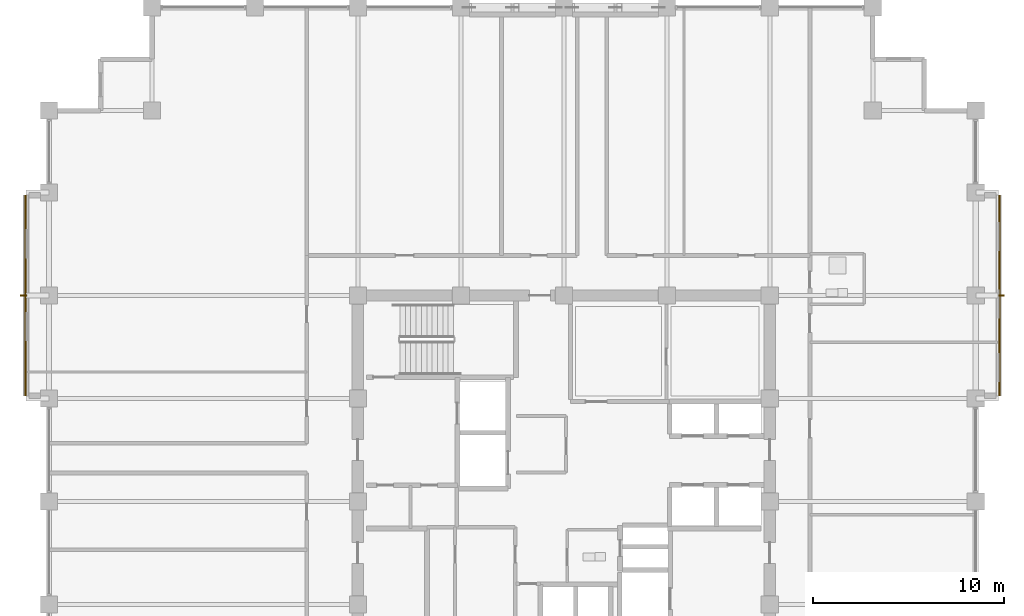
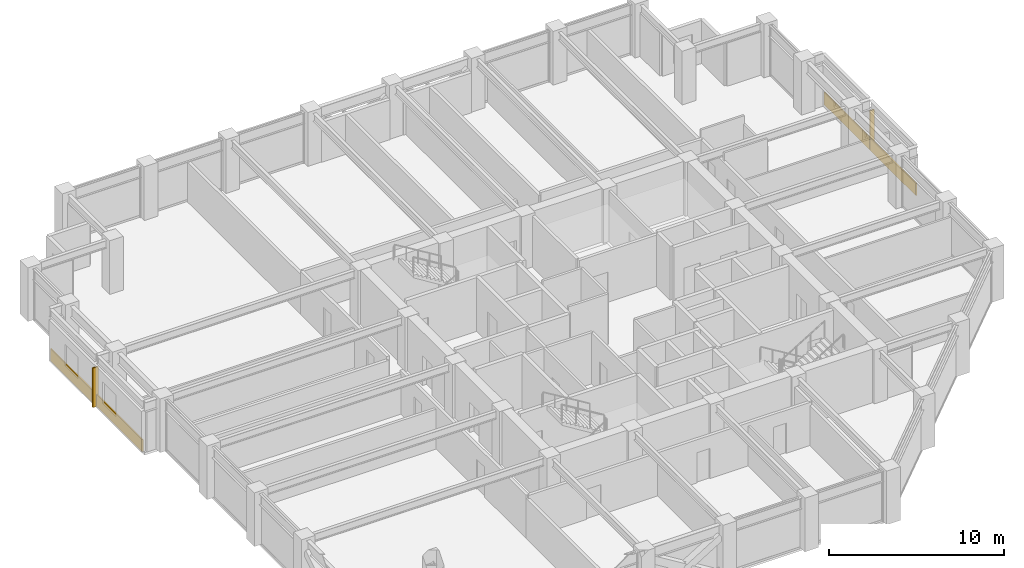
# One storey, part 31 of 32: 2 coverings, 2 shading devices.
"""IFC4 building model written with IfcOpenShell, lengths in metres."""

from ifc_helpers import new_model, si_unit, direction, frame, origin, origin_2d, place, context, subcontext, project, spatial, rectangle, extrude, material, layer, layer_set, type_object, element, save


model = new_model("IFC4")

# Units and contexts
model_context = context("Model", 3, precision=1e-05, world=origin(), true_north=direction((0.0, 1.0)))
body_context = subcontext(model_context, "Body", "Model", "MODEL_VIEW")
ifc_project = project(units=[si_unit("LENGTHUNIT", "METRE"), si_unit("AREAUNIT", "SQUARE_METRE"), si_unit("VOLUMEUNIT", "CUBIC_METRE"), si_unit("PLANEANGLEUNIT", "RADIAN"), si_unit("MASSUNIT", "GRAM", prefix="KILO")], contexts=[model_context])

# Site, building, storey
site_placement = place(None, origin())
site = spatial("IfcSite", under=ifc_project, at=site_placement, CompositionType="ELEMENT")
building_placement = place(site_placement, origin())
building = spatial("IfcBuilding", under=site, at=building_placement, Name="Surkhivell Harbour Commons", CompositionType="ELEMENT")
storey_placement = place(building_placement, frame((0.0, 0.0, 186.0)))
storey = spatial("IfcBuildingStorey", under=building, at=storey_placement, Name="L48", CompositionType="ELEMENT", Elevation=186.0)

# Coverings
ifc_material_1 = material(Name="Emerald-teal enamelled aluminium cassette panel", Category="aluminium")
ifc_layer_1 = layer(ifc_material_1, 0.068115234375)
ifc_layer_set_1 = layer_set([ifc_layer_1], Name="Emerald-teal enamelled aluminium cassette panel")
covering_type_1 = type_object("IfcCoveringType", Name="COV-CLAD-EME", PredefinedType="CLADDING", material=ifc_layer_set_1)
covering_1_placement = place(storey_placement, frame((-28.239990234375, 10.800048828125, 0.0), z_axis=(0.0, 0.0, 1.0), x_axis=(1.0, 0.0, 0.0)))
element("IfcCovering", 1, at=covering_1_placement, inside=storey, type_object=covering_type_1, Name="L48 Coloured-Panel Box Spandrel Cassette 02", PredefinedType="CLADDING", context=body_context, shape_type="SweptSolid", body=[
    extrude(rectangle(XDim=0.080078125, YDim=10.5, at=origin_2d()), origin(), (0.0, 0.0, 1.0), 0.840087890625),
])
ifc_material_2 = material(Name="Vermilion-coral enamelled aluminium cassette panel", Category="aluminium")
ifc_layer_2 = layer(ifc_material_2, 0.074951171875)
ifc_layer_set_2 = layer_set([ifc_layer_2], Name="Vermilion-coral enamelled aluminium cassette panel")
covering_type_2 = type_object("IfcCoveringType", Name="COV-CLAD-VER", PredefinedType="CLADDING", material=ifc_layer_set_2)
covering_2_placement = place(storey_placement, frame((22.840087890625, 10.800048828125, 0.0), z_axis=(0.0, 0.0, 1.0), x_axis=(1.0, 0.0, 0.0)))
element("IfcCovering", 2, at=covering_2_placement, inside=storey, type_object=covering_type_2, Name="L48 Coloured-Panel Box Spandrel Cassette 01", PredefinedType="CLADDING", context=body_context, shape_type="SweptSolid", body=[
    extrude(rectangle(XDim=0.080078125, YDim=10.5, at=origin_2d()), origin(), (0.0, 0.0, 1.0), 0.840087890625),
])

# Shading devices
ifc_material_3 = material(Name="Champagne anodised aluminium solar fin", Category="aluminium")
shading_device_type_1 = type_object("IfcShadingDeviceType", Name="SHD-FIN-SLIM", PredefinedType="USERDEFINED", material=ifc_material_3)
shading_device_1_placement = place(storey_placement, frame((22.93994140625, 10.800048828125, 0.0048828125), z_axis=(0.0, 0.0, 1.0), x_axis=(1.0, 0.0, 0.0)))
element("IfcShadingDevice", 3, at=shading_device_1_placement, inside=storey, type_object=shading_device_type_1, Name="L48 Coloured-Box Solar Fin 01", ObjectType="FIN", PredefinedType="USERDEFINED", context=body_context, shape_type="SweptSolid", body=[
    extrude(rectangle(XDim=0.280029296875, YDim=0.080078125, at=origin_2d()), origin(), (0.0, 0.0, 1.0), 2.75),
])
ifc_material_4 = material(Name="Anodised pale-metal aluminium solar fin", Category="aluminium")
shading_device_type_2 = type_object("IfcShadingDeviceType", Name="SHD-FIN-VERT", PredefinedType="USERDEFINED", material=ifc_material_4)
shading_device_2_placement = place(storey_placement, frame((-28.340087890625, 10.800048828125, 0.0048828125), z_axis=(0.0, 0.0, 1.0), x_axis=(1.0, 0.0, 0.0)))
element("IfcShadingDevice", 4, at=shading_device_2_placement, inside=storey, type_object=shading_device_type_2, Name="L48 Coloured-Box Solar Fin 02", ObjectType="FIN", PredefinedType="USERDEFINED", context=body_context, shape_type="SweptSolid", body=[
    extrude(rectangle(XDim=0.360107421875, YDim=0.090087890625, at=origin_2d()), origin(), (0.0, 0.0, 1.0), 2.75),
])

save(model, "model.ifc")
